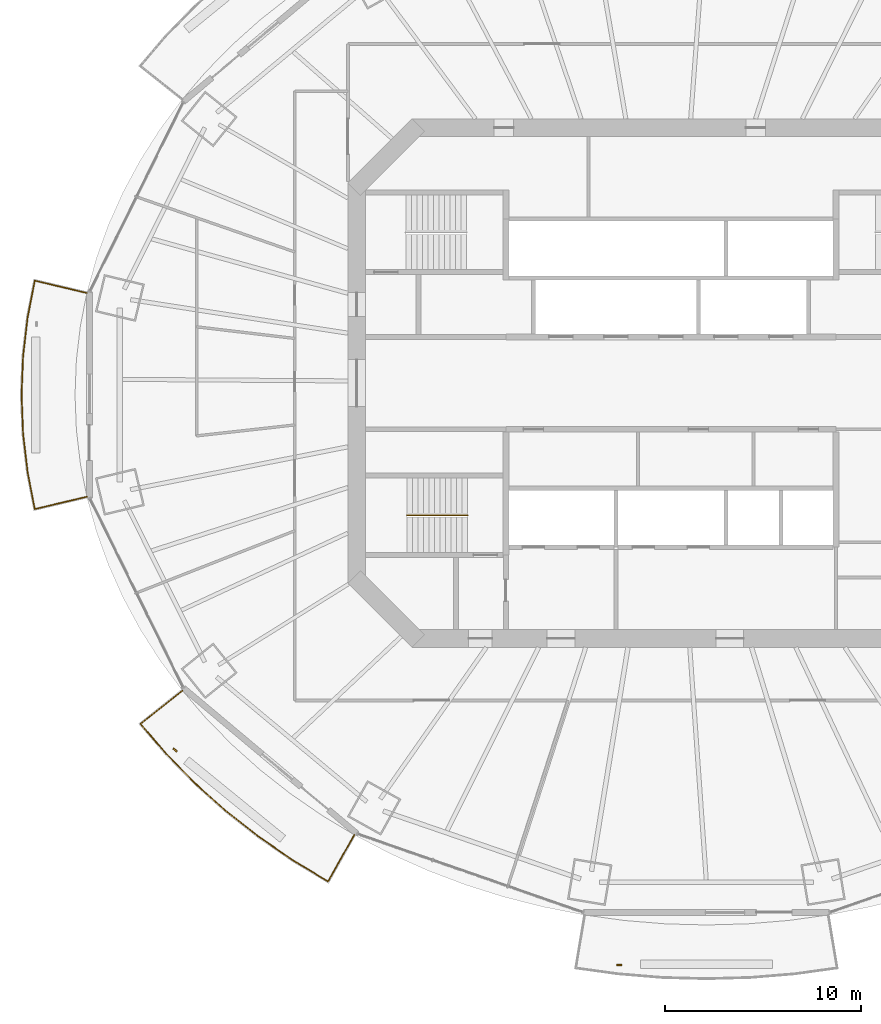
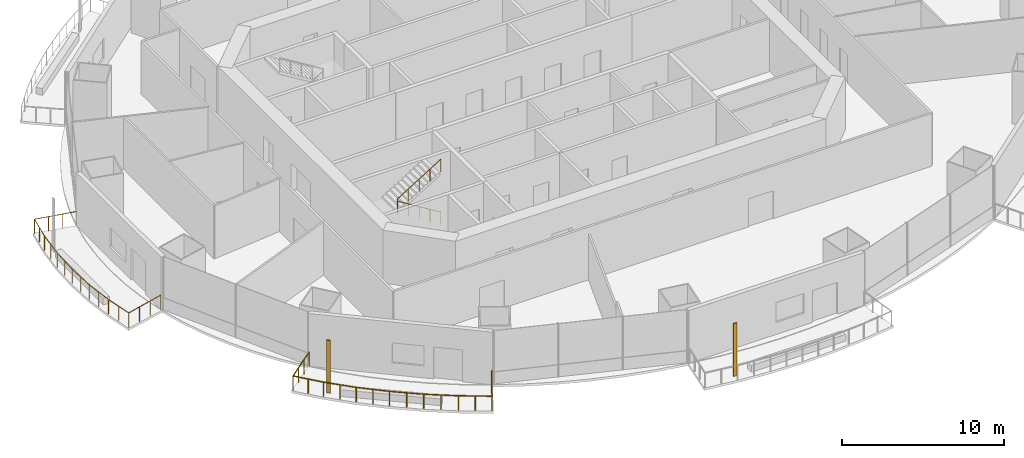
# One storey, part 15 of 20: 3 railings, 2 shading devices.
"""IFC4 building model written with IfcOpenShell, lengths in metres."""

from ifc_helpers import new_model, si_unit, direction, frame, origin, origin_2d, place, context, subcontext, project, spatial, rectangle, circle, extrude, material, material_profile, profile_set, type_object, element, save


model = new_model("IFC4")

# Units and contexts
model_context = context("Model", 3, precision=1e-05, world=origin(), true_north=direction((0.0, 1.0)))
body_context = subcontext(model_context, "Body", "Model", "MODEL_VIEW")
ifc_project = project(units=[si_unit("LENGTHUNIT", "METRE"), si_unit("AREAUNIT", "SQUARE_METRE"), si_unit("VOLUMEUNIT", "CUBIC_METRE"), si_unit("PLANEANGLEUNIT", "RADIAN"), si_unit("MASSUNIT", "GRAM", prefix="KILO")], contexts=[model_context])

# Site, building, storey
site_placement = place(None, origin())
site = spatial("IfcSite", under=ifc_project, at=site_placement, CompositionType="ELEMENT")
building_placement = place(site_placement, origin())
building = spatial("IfcBuilding", under=site, at=building_placement, Name="Marenthal Gate Tower", CompositionType="ELEMENT")
storey_placement = place(building_placement, frame((0.0, 0.0, 185.949951171875)))
storey = spatial("IfcBuildingStorey", under=building, at=storey_placement, Name="L40", CompositionType="ELEMENT", Elevation=185.949951171875)

# Railings
ifc_material_1 = material(Name="Stainless steel", Category="steel")
railing_type_1 = type_object("IfcRailingType", Name="Balcony guard 1100", PredefinedType="GUARDRAIL", material=ifc_material_1)
railing_1_placement = place(storey_placement, frame((-29.73583984375, -5.785888671875, 0.0)))
element("IfcRailing", 1, at=railing_1_placement, inside=storey, type_object=railing_type_1, Name="Balcony guard L40 bay 8", PredefinedType="GUARDRAIL", context=body_context, shape_type="SweptSolid", body=[
    extrude(circle(Radius=0.02392578125, at=origin_2d()), frame((0.0, 0.0, 1.076171875), z_axis=(-0.973011948097, -0.230284879064, -0.014718129449), x_axis=(0.230309825657, -0.973117353769, 0.0)), (0.0, 0.0, 1.0), 2.720458984375),
    extrude(circle(Radius=0.02392578125, at=origin_2d()), frame((-2.64697265625, -0.62646484375, 1.0361328125), z_axis=(-0.191356774256, 0.981520547389, 0.0), x_axis=(-0.981520547389, -0.191356774256, 0.0)), (0.0, 0.0, 1.0), 1.90478515625),
    extrude(circle(Radius=0.02392578125, at=origin_2d()), frame((-3.011474609375, 1.2431640625, 1.0361328125), z_axis=(-0.116519312563, 0.993188426131, 0.0), x_axis=(-0.993188426131, -0.116519312563, 0.0)), (0.0, 0.0, 1.0), 1.97998046875),
    extrude(circle(Radius=0.02392578125, at=origin_2d()), frame((-3.2421875, 3.209716796875, 1.0361328125), z_axis=(-0.038888278097, 0.999243564816, 0.0), x_axis=(-0.999243564816, -0.038888278097, 0.0)), (0.0, 0.0, 1.0), 1.9775390625),
    extrude(circle(Radius=0.02392578125, at=origin_2d()), frame((-3.319091796875, 5.185791015625, 1.0361328125), z_axis=(0.038888278097, 0.999243564816, 0.0), x_axis=(-0.999243564816, 0.038888278097, 0.0)), (0.0, 0.0, 1.0), 1.9775390625),
    extrude(circle(Radius=0.02392578125, at=origin_2d()), frame((-3.2421875, 7.161865234375, 1.0361328125), z_axis=(0.116519312563, 0.993188426131, 0.0), x_axis=(-0.993188426131, 0.116519312563, 0.0)), (0.0, 0.0, 1.0), 1.97998046875),
    extrude(circle(Radius=0.02392578125, at=origin_2d()), frame((-3.011474609375, 9.12841796875, 1.0361328125), z_axis=(0.19133270439, 0.981525239732, 0.0), x_axis=(-0.981525239732, 0.19133270439, 0.0)), (0.0, 0.0, 1.0), 1.905029296875),
    extrude(circle(Radius=0.02392578125, at=origin_2d()), frame((-2.64697265625, 10.998291015625, 1.0361328125), z_axis=(0.973011948097, -0.230284879064, 0.014718129449), x_axis=(0.230309825657, 0.973117353769, 0.0)), (0.0, 0.0, 1.0), 2.720458984375),
    extrude(circle(Radius=0.02099609375, at=origin_2d()), origin(), (0.0, 0.0, 1.0), 1.052001953125),
    extrude(circle(Radius=0.02099609375, at=origin_2d()), frame((-0.88232421875, -0.208740234375, -0.013427734375)), (0.0, 0.0, 1.0), 1.052001953125),
    extrude(circle(Radius=0.02099609375, at=origin_2d()), frame((-1.7646484375, -0.417724609375, -0.026611328125)), (0.0, 0.0, 1.0), 1.052001953125),
    extrude(circle(Radius=0.02099609375, at=origin_2d()), frame((-2.64697265625, -0.62646484375, -0.0400390625)), (0.0, 0.0, 1.0), 1.052001953125),
    extrude(circle(Radius=0.02099609375, at=origin_2d()), frame((-2.8291015625, 0.308349609375, -0.0400390625)), (0.0, 0.0, 1.0), 1.052001953125),
    extrude(circle(Radius=0.02099609375, at=origin_2d()), frame((-3.011474609375, 1.2431640625, -0.0400390625)), (0.0, 0.0, 1.0), 1.052001953125),
    extrude(circle(Radius=0.02099609375, at=origin_2d()), frame((-3.126953125, 2.2265625, -0.0400390625)), (0.0, 0.0, 1.0), 1.052001953125),
    extrude(circle(Radius=0.02099609375, at=origin_2d()), frame((-3.2421875, 3.209716796875, -0.0400390625)), (0.0, 0.0, 1.0), 1.052001953125),
    extrude(circle(Radius=0.02099609375, at=origin_2d()), frame((-3.28076171875, 4.19775390625, -0.0400390625)), (0.0, 0.0, 1.0), 1.052001953125),
    extrude(circle(Radius=0.02099609375, at=origin_2d()), frame((-3.319091796875, 5.185791015625, -0.0400390625)), (0.0, 0.0, 1.0), 1.052001953125),
    extrude(circle(Radius=0.02099609375, at=origin_2d()), frame((-3.28076171875, 6.173828125, -0.0400390625)), (0.0, 0.0, 1.0), 1.052001953125),
    extrude(circle(Radius=0.02099609375, at=origin_2d()), frame((-3.2421875, 7.161865234375, -0.0400390625)), (0.0, 0.0, 1.0), 1.052001953125),
    extrude(circle(Radius=0.02099609375, at=origin_2d()), frame((-3.126953125, 8.14501953125, -0.0400390625)), (0.0, 0.0, 1.0), 1.052001953125),
    extrude(circle(Radius=0.02099609375, at=origin_2d()), frame((-3.011474609375, 9.12841796875, -0.0400390625)), (0.0, 0.0, 1.0), 1.052001953125),
    extrude(circle(Radius=0.02099609375, at=origin_2d()), frame((-2.8291015625, 10.0634765625, -0.0400390625)), (0.0, 0.0, 1.0), 1.052001953125),
    extrude(circle(Radius=0.02099609375, at=origin_2d()), frame((-2.64697265625, 10.998291015625, -0.0400390625)), (0.0, 0.0, 1.0), 1.052001953125),
    extrude(circle(Radius=0.02099609375, at=origin_2d()), frame((-1.7646484375, 10.78955078125, -0.026611328125)), (0.0, 0.0, 1.0), 1.052001953125),
    extrude(circle(Radius=0.02099609375, at=origin_2d()), frame((-0.88232421875, 10.58056640625, -0.013427734375)), (0.0, 0.0, 1.0), 1.052001953125),
    extrude(circle(Radius=0.02099609375, at=origin_2d()), frame((0.0, 10.371826171875, 0.0)), (0.0, 0.0, 1.0), 1.052001953125),
])
railing_2_placement = place(storey_placement, frame((-16.123046875, -22.994873046875, 0.0)))
element("IfcRailing", 2, at=railing_2_placement, inside=storey, type_object=railing_type_1, Name="Balcony guard L40 bay 10", PredefinedType="GUARDRAIL", context=body_context, shape_type="SweptSolid", body=[
    extrude(circle(Radius=0.02392578125, at=origin_2d()), frame((0.0, 0.0, 1.076171875), z_axis=(-0.489517638595, -0.871869149489, -0.014719635631), x_axis=(0.871963617771, -0.489570678538, 0.0)), (0.0, 0.0, 1.0), 2.72021484375),
    extrude(circle(Radius=0.02392578125, at=origin_2d()), frame((-1.33154296875, -2.37158203125, 1.0361328125), z_axis=(-0.856269071779, 0.516530034668, 0.0), x_axis=(-0.516530034668, -0.856269071779, 0.0)), (0.0, 0.0, 1.0), 2.0810546875),
    extrude(circle(Radius=0.02392578125, at=origin_2d()), frame((-3.113525390625, -1.296630859375, 1.0361328125), z_axis=(-0.823383437497, 0.567485431404, 0.0), x_axis=(-0.567485431404, -0.823383437497, 0.0)), (0.0, 0.0, 1.0), 2.143798828125),
    extrude(circle(Radius=0.02392578125, at=origin_2d()), frame((-4.878662109375, -0.080078125, 1.0361328125), z_axis=(-0.786051281146, 0.61816129239, 0.0), x_axis=(-0.61816129239, -0.786051281146, 0.0)), (0.0, 0.0, 1.0), 2.1259765625),
    extrude(circle(Radius=0.02392578125, at=origin_2d()), frame((-6.5498046875, 1.234130859375, 1.0361328125), z_axis=(-0.744623035751, 0.667485231768, 0.0), x_axis=(-0.667485231768, -0.744623035751, 0.0)), (0.0, 0.0, 1.0), 2.10791015625),
    extrude(circle(Radius=0.02392578125, at=origin_2d()), frame((-8.119384765625, 2.64111328125, 1.0361328125), z_axis=(-0.698941095917, 0.715179239379, 0.0), x_axis=(-0.715179239379, -0.698941095917, 0.0)), (0.0, 0.0, 1.0), 2.08984375),
    extrude(circle(Radius=0.02392578125, at=origin_2d()), frame((-9.580078125, 4.1357421875, 1.0361328125), z_axis=(-0.650145331718, 0.759809875986, 0.0), x_axis=(-0.759809875986, -0.650145331718, 0.0)), (0.0, 0.0, 1.0), 1.992431640625),
    extrude(circle(Radius=0.02392578125, at=origin_2d()), frame((-10.87548828125, 5.649658203125, 1.0361328125), z_axis=(0.782654389214, 0.622282483065, 0.01471795893), x_axis=(-0.622349892908, 0.782739171626, 0.0)), (0.0, 0.0, 1.0), 2.720458984375),
    extrude(circle(Radius=0.02099609375, at=origin_2d()), origin(), (0.0, 0.0, 1.0), 1.052001953125),
    extrude(circle(Radius=0.02099609375, at=origin_2d()), frame((-0.44384765625, -0.79052734375, -0.013427734375)), (0.0, 0.0, 1.0), 1.052001953125),
    extrude(circle(Radius=0.02099609375, at=origin_2d()), frame((-0.8876953125, -1.5810546875, -0.026611328125)), (0.0, 0.0, 1.0), 1.052001953125),
    extrude(circle(Radius=0.02099609375, at=origin_2d()), frame((-1.33154296875, -2.37158203125, -0.0400390625)), (0.0, 0.0, 1.0), 1.052001953125),
    extrude(circle(Radius=0.02099609375, at=origin_2d()), frame((-2.22265625, -1.833984375, -0.0400390625)), (0.0, 0.0, 1.0), 1.052001953125),
    extrude(circle(Radius=0.02099609375, at=origin_2d()), frame((-3.113525390625, -1.296630859375, -0.0400390625)), (0.0, 0.0, 1.0), 1.052001953125),
    extrude(circle(Radius=0.02099609375, at=origin_2d()), frame((-3.99609375, -0.6884765625, -0.0400390625)), (0.0, 0.0, 1.0), 1.052001953125),
    extrude(circle(Radius=0.02099609375, at=origin_2d()), frame((-4.878662109375, -0.080078125, -0.0400390625)), (0.0, 0.0, 1.0), 1.052001953125),
    extrude(circle(Radius=0.02099609375, at=origin_2d()), frame((-5.71435546875, 0.5771484375, -0.0400390625)), (0.0, 0.0, 1.0), 1.052001953125),
    extrude(circle(Radius=0.02099609375, at=origin_2d()), frame((-6.5498046875, 1.234130859375, -0.0400390625)), (0.0, 0.0, 1.0), 1.052001953125),
    extrude(circle(Radius=0.02099609375, at=origin_2d()), frame((-7.33447265625, 1.9375, -0.0400390625)), (0.0, 0.0, 1.0), 1.052001953125),
    extrude(circle(Radius=0.02099609375, at=origin_2d()), frame((-8.119384765625, 2.64111328125, -0.0400390625)), (0.0, 0.0, 1.0), 1.052001953125),
    extrude(circle(Radius=0.02099609375, at=origin_2d()), frame((-8.849609375, 3.388427734375, -0.0400390625)), (0.0, 0.0, 1.0), 1.052001953125),
    extrude(circle(Radius=0.02099609375, at=origin_2d()), frame((-9.580078125, 4.1357421875, -0.0400390625)), (0.0, 0.0, 1.0), 1.052001953125),
    extrude(circle(Radius=0.02099609375, at=origin_2d()), frame((-10.227783203125, 4.892578125, -0.0400390625)), (0.0, 0.0, 1.0), 1.052001953125),
    extrude(circle(Radius=0.02099609375, at=origin_2d()), frame((-10.87548828125, 5.649658203125, -0.0400390625)), (0.0, 0.0, 1.0), 1.052001953125),
    extrude(circle(Radius=0.02099609375, at=origin_2d()), frame((-10.165771484375, 6.2138671875, -0.026611328125)), (0.0, 0.0, 1.0), 1.052001953125),
    extrude(circle(Radius=0.02099609375, at=origin_2d()), frame((-9.4560546875, 6.7783203125, -0.013427734375)), (0.0, 0.0, 1.0), 1.052001953125),
    extrude(circle(Radius=0.02099609375, at=origin_2d()), frame((-8.746337890625, 7.342529296875, 0.0)), (0.0, 0.0, 1.0), 1.052001953125),
])
ifc_material_2 = material(Name="Stainless steel", Category="steel")
railing_type_2 = type_object("IfcRailingType", Name="Stair handrail", PredefinedType="HANDRAIL", material=ifc_material_2)
railing_3_placement = place(storey_placement, frame((-10.35009765625, -6.72509765625, 0.1728515625)))
element("IfcRailing", 3, at=railing_3_placement, inside=storey, type_object=railing_type_2, Name="Handrail ST2", PredefinedType="HANDRAIL", context=body_context, shape_type="SweptSolid", body=[
    extrude(circle(Radius=0.0224609375, at=origin_2d()), frame((0.0, 0.0, 0.927490234375), z_axis=(-0.850816621229, 0.0, 0.525462726595), x_axis=(0.0, -1.0, 0.0)), (0.0, 0.0, 1.0), 3.619873046875),
    extrude(circle(Radius=0.0224609375, at=origin_2d()), frame((-3.079833984375, 0.0, 2.82958984375), z_axis=(0.0, 0.0, 1.0), x_axis=(1.0, 0.0, 0.0)), (0.0, 0.0, 1.0), 0.173095703125),
    extrude(circle(Radius=0.0224609375, at=origin_2d()), frame((-3.079833984375, 0.0, 3.002685546875), z_axis=(0.850816621229, 0.0, 0.525462726595), x_axis=(0.0, 1.0, 0.0)), (0.0, 0.0, 1.0), 3.619873046875),
    extrude(circle(Radius=0.02001953125, at=origin_2d()), origin(), (0.0, 0.0, 1.0), 0.905029296875),
    extrude(circle(Radius=0.02001953125, at=origin_2d()), frame((-0.77001953125, 0.0, 0.4755859375)), (0.0, 0.0, 1.0), 0.905029296875),
    extrude(circle(Radius=0.02001953125, at=origin_2d()), frame((-1.5400390625, 0.0, 0.951171875)), (0.0, 0.0, 1.0), 0.905029296875),
    extrude(circle(Radius=0.02001953125, at=origin_2d()), frame((-2.309814453125, 0.0, 1.426513671875)), (0.0, 0.0, 1.0), 0.905029296875),
    extrude(circle(Radius=0.02001953125, at=origin_2d()), frame((-3.079833984375, 0.0, 1.902099609375)), (0.0, 0.0, 1.0), 0.905029296875),
    extrude(circle(Radius=0.02001953125, at=origin_2d()), frame((-3.079833984375, 0.0, 2.0751953125)), (0.0, 0.0, 1.0), 0.905029296875),
    extrude(circle(Radius=0.02001953125, at=origin_2d()), frame((-2.309814453125, 0.0, 2.55078125)), (0.0, 0.0, 1.0), 0.905029296875),
    extrude(circle(Radius=0.02001953125, at=origin_2d()), frame((-1.5400390625, 0.0, 3.0263671875)), (0.0, 0.0, 1.0), 0.905029296875),
    extrude(circle(Radius=0.02001953125, at=origin_2d()), frame((-0.77001953125, 0.0, 3.501708984375)), (0.0, 0.0, 1.0), 0.905029296875),
    extrude(circle(Radius=0.02001953125, at=origin_2d()), frame((0.0, 0.0, 3.977294921875)), (0.0, 0.0, 1.0), 0.905029296875),
])

# Shading devices
ifc_material_3 = material(Name="Terracotta", Category="masonry")
ifc_material_profile = material_profile(ifc_material_3, rectangle(XDim=0.25, YDim=0.080078125, at=origin_2d()), Name="Terracotta baguette 250x80")
ifc_profile_set = profile_set([ifc_material_profile], Name="Terracotta")
shading_device_type = type_object("IfcShadingDeviceType", Name="Terracotta BAGUETTE SCREEN 250x80", PredefinedType="USERDEFINED", material=ifc_profile_set)
for number, where, z_axis, x_axis, name in (
    (4, (-25.243408203125, -18.675048828125, -0.0400390625), (0.0, 0.0, 1.0), (0.765779593212, -0.64310311352, 0.0), "Terracotta BAGUETTE L40 bay 10L"),
    (5, (-2.63037109375, -29.625, -0.0400390625), (0.0, 0.0, 1.0), (1.0, 0.0, 0.0), "Terracotta BAGUETTE L40 bay 12L"),
):
    element("IfcShadingDevice", number, at=place(storey_placement, frame(where, z_axis=z_axis, x_axis=x_axis)), inside=storey, type_object=shading_device_type, Name=name, ObjectType="BAGUETTE SCREEN", PredefinedType="USERDEFINED", context=body_context, shape_type="SweptSolid", body=[
        extrude(rectangle(XDim=0.25, YDim=0.080078125, at=origin_2d()), origin(), (0.0, 0.0, 1.0), 3.969970703125),
    ])

save(model, "model.ifc")
